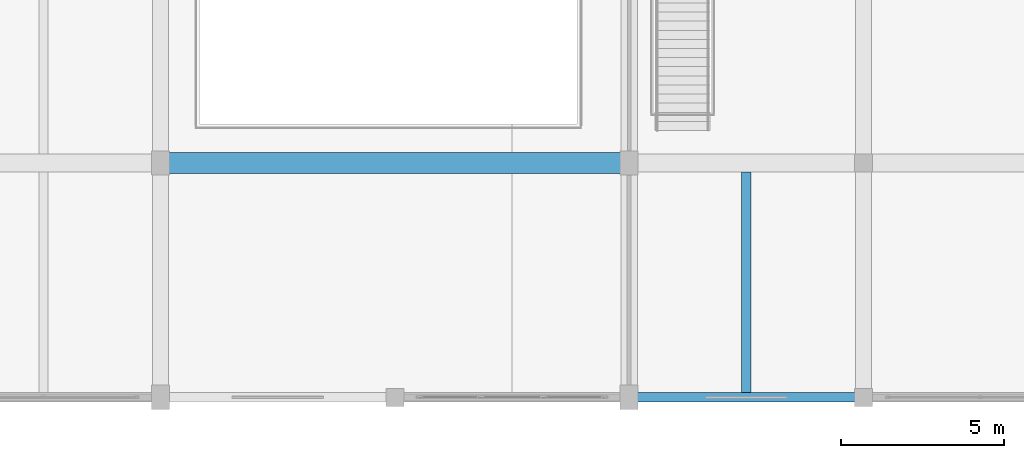
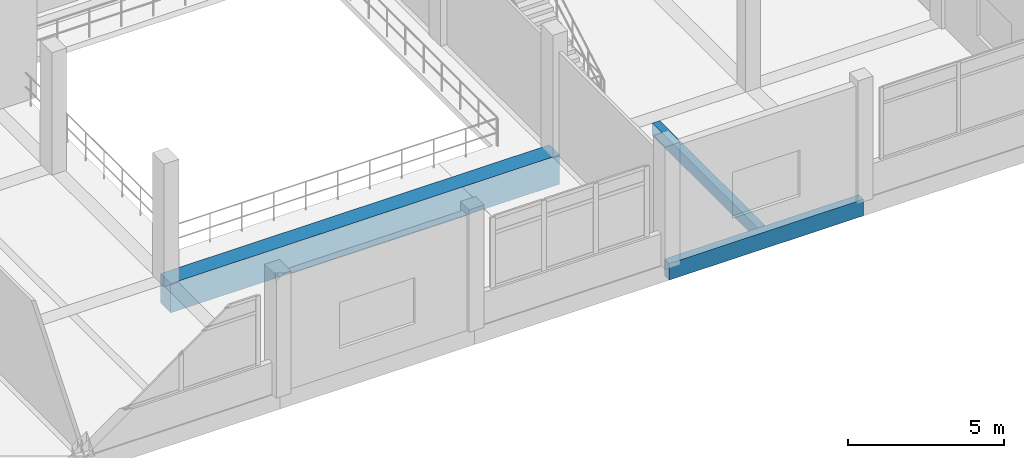
# One storey, part 107 of 181: 3 beams.
"""IFC4 building model written with IfcOpenShell, lengths in metres."""

import ifcopenshell
import ifcopenshell.guid

model = None  # the IFC model being written
_history = None  # IfcOwnerHistory: only IFC2X3 demands one
_inside = {}  # id of a spatial element -> (the spatial element, [elements in it])
_under = {}  # id of a project, library or spatial element -> (it, [spatial elements below it])
_declared = {}  # id of a project -> (the project, [libraries it declares])
_typed = {}  # id of a type object -> (the type object, [elements of that type])
_made_of = {}  # id of a material, layer set ... -> (it, [elements and type objects made of it])


def new_model(schema):
    """Start an empty IFC model of exactly this schema.

    Asked for "IFC4X3", IfcOpenShell would pick the latest addendum, in which some entities
    have other attributes; the version numbers below select the first issue.
    IFC2X3 requires an IfcOwnerHistory on every rooted entity: one is made here for all.
    """
    global model, _history
    if schema == "IFC4X3":
        model = ifcopenshell.file(schema_version=(4, 3, 0, 0))
    else:
        model = ifcopenshell.file(schema=schema)
    _inside.clear()
    _under.clear()
    _declared.clear()
    _typed.clear()
    _made_of.clear()
    _history = None
    if model.schema == "IFC2X3":
        org = make("IfcOrganization", Name="unknown")
        user = make(
            "IfcPersonAndOrganization",
            ThePerson=make("IfcPerson", FamilyName="unknown"),
            TheOrganization=org,
        )
        app = make(
            "IfcApplication",
            ApplicationDeveloper=org,
            Version="unknown",
            ApplicationFullName="unknown",
            ApplicationIdentifier="unknown",
        )
        _history = make(
            "IfcOwnerHistory",
            OwningUser=user,
            OwningApplication=app,
            ChangeAction="ADDED",
            CreationDate=0,
        )
    return model


def make(cls, **values):
    """One entity of the class cls with the attributes given. An attribute that is None is left unset."""
    return model.create_entity(
        cls, **{name: value for name, value in values.items() if value is not None}
    )


def rooted(cls, **values):
    """An entity with a GlobalId (a new one), such as an element, a storey or a relation."""
    return make(cls, GlobalId=ifcopenshell.guid.new(), OwnerHistory=_history, **values)


def si_unit(unit_type, name, prefix=None):
    """IfcSIUnit, for example si_unit("LENGTHUNIT", "METRE", prefix="MILLI")."""
    return make("IfcSIUnit", UnitType=unit_type, Prefix=prefix, Name=name)


def assignment(units):
    """IfcUnitAssignment: the units of a project."""
    return None if units is None else make("IfcUnitAssignment", Units=units)


def point(xyz):
    """IfcCartesianPoint."""
    return None if xyz is None else make("IfcCartesianPoint", Coordinates=xyz)


def direction(xyz):
    """IfcDirection."""
    return None if xyz is None else make("IfcDirection", DirectionRatios=xyz)


def frame(location, z_axis=None, x_axis=None):
    """IfcAxis2Placement3D, a coordinate frame: its origin and axes. An axis left out is left unset."""
    return make(
        "IfcAxis2Placement3D",
        Location=point(location),
        Axis=direction(z_axis),
        RefDirection=direction(x_axis),
    )


def frame_2d(location, x_axis=None):
    """IfcAxis2Placement2D, a coordinate frame in the plane: its origin and x axis."""
    return make(
        "IfcAxis2Placement2D", Location=point(location), RefDirection=direction(x_axis)
    )


def origin():
    """The frame at (0, 0, 0) with its axes left unset."""
    return frame((0.0, 0.0, 0.0))


def origin_2d():
    """The frame at (0, 0) in the plane with its x axis left unset."""
    return frame_2d((0.0, 0.0))


def place(relative_to, where):
    """IfcLocalPlacement: puts the frame where relative to a parent placement (None: the world)."""
    return make(
        "IfcLocalPlacement", PlacementRelTo=relative_to, RelativePlacement=where
    )


def context(
    kind, dimensions, precision=None, world=None, true_north=None, identifier=None
):
    """IfcGeometricRepresentationContext, for example the 3D "Model" context."""
    return make(
        "IfcGeometricRepresentationContext",
        ContextIdentifier=identifier,
        ContextType=kind,
        CoordinateSpaceDimension=dimensions,
        Precision=precision,
        WorldCoordinateSystem=world,
        TrueNorth=true_north,
    )


def subcontext(parent, identifier, kind, view, scale=None):
    """IfcGeometricRepresentationSubContext, for example "Body" below "Model"."""
    return make(
        "IfcGeometricRepresentationSubContext",
        ContextIdentifier=identifier,
        ContextType=kind,
        ParentContext=parent,
        TargetScale=scale,
        TargetView=view,
    )


def project(units=None, contexts=None):
    """IfcProject with its units and contexts."""
    return rooted(
        "IfcProject",
        Name="project",
        RepresentationContexts=contexts,
        UnitsInContext=assignment(units),
    )


def spatial(cls, under=None, at=None, **own):
    """A site, building, storey or space (cls), placed at a placement, below another one or the project."""
    s = rooted(cls, ObjectPlacement=at, **own)
    if under is not None:
        _under.setdefault(under.id(), (under, []))[1].append(s)
    return s


def profile(cls, at=None, kind="AREA", **sizes):
    """A parametric profile (cls). Its sizes go by their IFC names, for example OverallWidth=200.0."""
    return make(cls, ProfileType=kind, Position=at, **sizes)


def rectangle(**sizes):
    """IfcRectangleProfileDef."""
    return profile("IfcRectangleProfileDef", **sizes)


def extrude(swept, where, along, depth):
    """IfcExtrudedAreaSolid: the profile swept, set in the frame where, extruded along a direction by depth."""
    return make(
        "IfcExtrudedAreaSolid",
        SweptArea=swept,
        Position=where,
        ExtrudedDirection=direction(along),
        Depth=depth,
    )


def shape(context_of_items, identifier, shape_type, items):
    """IfcShapeRepresentation: the items that make up one representation, for example the "Body"."""
    return make(
        "IfcShapeRepresentation",
        ContextOfItems=context_of_items,
        RepresentationIdentifier=identifier,
        RepresentationType=shape_type,
        Items=items,
    )


def material(Name=None, Category=None):
    """IfcMaterial."""
    return make("IfcMaterial", Name=Name, Category=Category)


def material_profile(
    of_material, cross_section, Name=None, Category=None, Priority=None
):
    """IfcMaterialProfile: a cross section and its material."""
    return make(
        "IfcMaterialProfile",
        Name=Name,
        Material=of_material,
        Profile=cross_section,
        Priority=Priority,
        Category=Category,
    )


def profile_set(profiles, Name=None, composite=None):
    """IfcMaterialProfileSet."""
    return make(
        "IfcMaterialProfileSet",
        Name=Name,
        MaterialProfiles=profiles,
        CompositeProfile=composite,
    )


def made_of(thing, what):
    """Note that an element or type object is made of a material, layer set ...; save() writes the relation."""
    if what is not None:
        _made_of.setdefault(what.id(), (what, []))[1].append(thing)
    return thing


def type_object(cls, material=None, **own):
    """A type object (cls), such as IfcWallType, which elements share."""
    return made_of(rooted(cls, **own), material)


def element(
    cls,
    number,
    at=None,
    inside=None,
    cuts=None,
    type_object=None,
    material=None,
    context=None,
    identifier="Body",
    shape_type=None,
    held_by="IfcProductDefinitionShape",
    body=None,
    shapes=None,
    **own,
):
    """One element of the class cls, such as IfcWall. Its Tag is "e" and its number.

    at: its placement. inside: the storey or other place that contains it. cuts: it is an
    opening in that element (IfcRelVoidsElement). A single representation is given by context,
    identifier, shape_type and body (its items); several are given by shapes. held_by: the class
    of the entity that holds the representations. save() writes the other relations.
    """
    e = rooted(cls, Tag="e%d" % number, ObjectPlacement=at, **own)
    if body is not None:
        shapes = [shape(context, identifier, shape_type, body)]
    if shapes is not None:
        e.Representation = make(held_by, Representations=shapes)
    if inside is not None:
        _inside.setdefault(inside.id(), (inside, []))[1].append(e)
    if cuts is not None:
        rooted(
            "IfcRelVoidsElement", RelatingBuildingElement=cuts, RelatedOpeningElement=e
        )
    if type_object is not None:
        _typed.setdefault(type_object.id(), (type_object, []))[1].append(e)
    return made_of(e, material)


def aggregate(whole, parts):
    """IfcRelAggregates: a whole, such as a stair, and the parts it consists of."""
    return rooted("IfcRelAggregates", RelatingObject=whole, RelatedObjects=parts)


def save(model, path):
    """Write the relations noted so far, then the file.

    IfcRelAggregates (storeys below a building ...), IfcRelContainedInSpatialStructure (elements
    in a storey), IfcRelDefinesByType, IfcRelAssociatesMaterial and IfcRelDeclares: one each for
    every whole, place, type object, material and project.
    """
    for whole, parts in _under.values():
        aggregate(whole, parts)
    for where, things in _inside.values():
        rooted(
            "IfcRelContainedInSpatialStructure",
            RelatedElements=things,
            RelatingStructure=where,
        )
    for kind, things in _typed.values():
        rooted("IfcRelDefinesByType", RelatedObjects=things, RelatingType=kind)
    for what, things in _made_of.values():
        rooted("IfcRelAssociatesMaterial", RelatedObjects=things, RelatingMaterial=what)
    for by, libraries in _declared.values():
        rooted("IfcRelDeclares", RelatingContext=by, RelatedDefinitions=libraries)
    model.write(path)


model = new_model("IFC4")

# Units and contexts
model_context = context("Model", 3, precision=1e-05, world=origin(), true_north=direction((0.0, 1.0)))
body_context = subcontext(model_context, "Body", "Model", "MODEL_VIEW")
ifc_project = project(units=[si_unit("LENGTHUNIT", "METRE"), si_unit("AREAUNIT", "SQUARE_METRE"), si_unit("VOLUMEUNIT", "CUBIC_METRE"), si_unit("PLANEANGLEUNIT", "RADIAN"), si_unit("MASSUNIT", "GRAM", prefix="KILO")], contexts=[model_context])

# Site, building, storey
site_placement = place(None, origin())
site = spatial("IfcSite", under=ifc_project, at=site_placement, CompositionType="ELEMENT")
building_placement = place(site_placement, origin())
building = spatial("IfcBuilding", under=site, at=building_placement, Name="Seraya Terrace Polytechnic", CompositionType="ELEMENT")
storey_placement = place(building_placement, frame((0.0, 0.0, 4.800048828125)))
storey = spatial("IfcBuildingStorey", under=building, at=storey_placement, Name="L01", CompositionType="ELEMENT", Elevation=4.800048828125)

# Beams
ifc_material = material(Name="Concrete C40/50", Category="concrete")
ifc_material_profile_1 = material_profile(ifc_material, rectangle(XDim=0.64990234375, YDim=1.14990234375, at=origin_2d()), Name="RC 650x1150")
ifc_profile_set_1 = profile_set([ifc_material_profile_1], Name="Concrete C40/50")
beam_type_1 = type_object("IfcBeamType", Name="BG-02", PredefinedType="USERDEFINED", material=ifc_profile_set_1)
beam_1_placement = place(storey_placement, frame((136.800048828125, 7.199951171875, -0.574951171875), z_axis=(1.0, 0.0, 0.0), x_axis=(0.0, 1.0, 0.0)))
element("IfcBeam", 1, at=beam_1_placement, inside=storey, type_object=beam_type_1, Name="Beam BG-02 L01 X (136.8..151.2, 7.2)", ObjectType="GIRDER", PredefinedType="USERDEFINED", context=body_context, shape_type="SweptSolid", body=[
    extrude(rectangle(XDim=0.64990234375, YDim=1.14990234375, at=origin_2d()), origin(), (0.0, 0.0, 1.0), 14.39990234375),
])
ifc_material_profile_2 = material_profile(ifc_material, rectangle(XDim=0.280029296875, YDim=0.47998046875, at=origin_2d()), Name="RC 280x480")
ifc_profile_set_2 = profile_set([ifc_material_profile_2], Name="Concrete C40/50")
beam_type_2 = type_object("IfcBeamType", Name="JS-07", PredefinedType="JOIST", material=ifc_profile_set_2)
beam_2_placement = place(storey_placement, frame((154.800048828125, 0.14990234375, -0.239990234375), z_axis=(0.0, 1.0, 0.0), x_axis=(-1.0, 0.0, 0.0)))
element("IfcBeam", 2, at=beam_2_placement, inside=storey, type_object=beam_type_2, Name="Secondary joist JS-07 L01", PredefinedType="JOIST", context=body_context, shape_type="SweptSolid", body=[
    extrude(rectangle(XDim=0.280029296875, YDim=0.47998046875, at=origin_2d()), origin(), (0.0, 0.0, 1.0), 6.775146484375),
])
ifc_material_profile_3 = material_profile(ifc_material, rectangle(XDim=0.300048828125, YDim=0.64990234375, at=origin_2d()), Name="RC 300x650")
ifc_profile_set_3 = profile_set([ifc_material_profile_3], Name="Concrete C40/50")
beam_type_3 = type_object("IfcBeamType", Name="SP-01", PredefinedType="SPANDREL", material=ifc_profile_set_3)
beam_3_placement = place(storey_placement, frame((151.199951171875, 0.0, -0.324951171875), z_axis=(1.0, 0.0, 0.0), x_axis=(0.0, 1.0, 0.0)))
element("IfcBeam", 3, at=beam_3_placement, inside=storey, type_object=beam_type_3, Name="Beam SP-01 L01 X (151.2..158.4, 0.0)", PredefinedType="SPANDREL", context=body_context, shape_type="SweptSolid", body=[
    extrude(rectangle(XDim=0.300048828125, YDim=0.64990234375, at=origin_2d()), origin(), (0.0, 0.0, 1.0), 7.199951171875),
])

save(model, "model.ifc")
